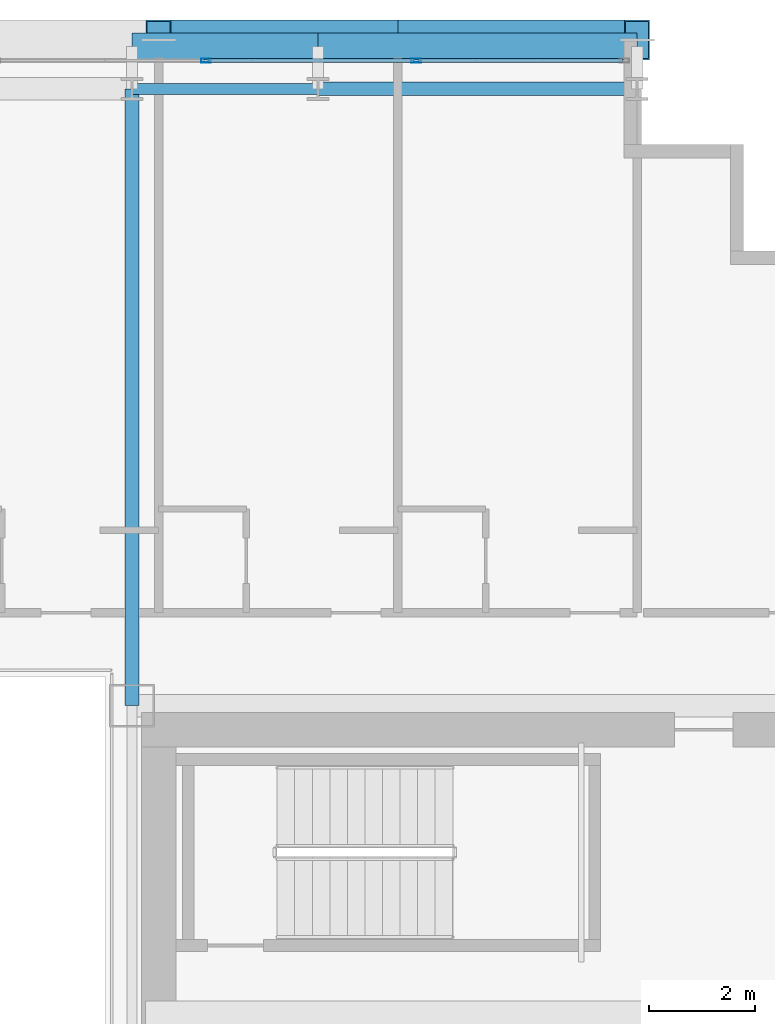
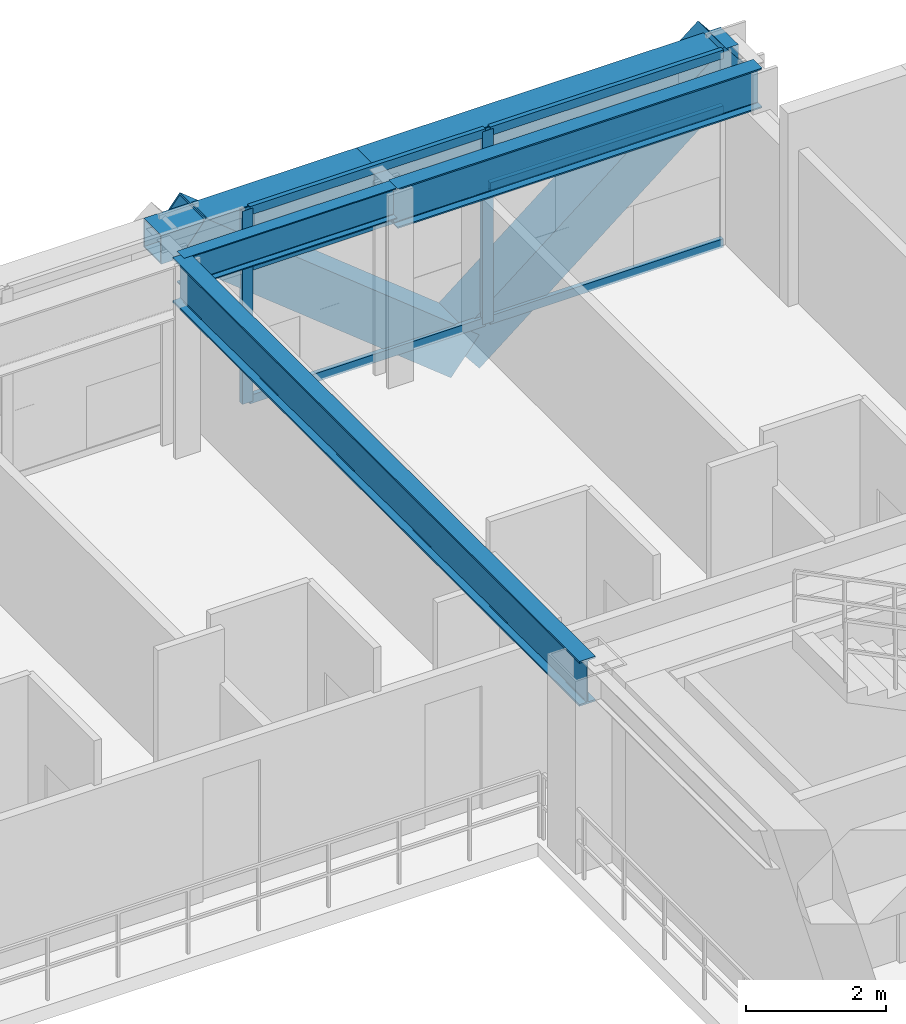
# One storey, part 21 of 36: 10 members, 5 beams, 1 element without a shape of its own.
"""IFC4 building model written with IfcOpenShell, lengths in metres."""

import ifcopenshell
import ifcopenshell.guid

model = None  # the IFC model being written
_history = None  # IfcOwnerHistory: only IFC2X3 demands one
_inside = {}  # id of a spatial element -> (the spatial element, [elements in it])
_under = {}  # id of a project, library or spatial element -> (it, [spatial elements below it])
_declared = {}  # id of a project -> (the project, [libraries it declares])
_typed = {}  # id of a type object -> (the type object, [elements of that type])
_made_of = {}  # id of a material, layer set ... -> (it, [elements and type objects made of it])


def new_model(schema):
    """Start an empty IFC model of exactly this schema.

    Asked for "IFC4X3", IfcOpenShell would pick the latest addendum, in which some entities
    have other attributes; the version numbers below select the first issue.
    IFC2X3 requires an IfcOwnerHistory on every rooted entity: one is made here for all.
    """
    global model, _history
    if schema == "IFC4X3":
        model = ifcopenshell.file(schema_version=(4, 3, 0, 0))
    else:
        model = ifcopenshell.file(schema=schema)
    _inside.clear()
    _under.clear()
    _declared.clear()
    _typed.clear()
    _made_of.clear()
    _history = None
    if model.schema == "IFC2X3":
        org = make("IfcOrganization", Name="unknown")
        user = make(
            "IfcPersonAndOrganization",
            ThePerson=make("IfcPerson", FamilyName="unknown"),
            TheOrganization=org,
        )
        app = make(
            "IfcApplication",
            ApplicationDeveloper=org,
            Version="unknown",
            ApplicationFullName="unknown",
            ApplicationIdentifier="unknown",
        )
        _history = make(
            "IfcOwnerHistory",
            OwningUser=user,
            OwningApplication=app,
            ChangeAction="ADDED",
            CreationDate=0,
        )
    return model


def make(cls, **values):
    """One entity of the class cls with the attributes given. An attribute that is None is left unset."""
    return model.create_entity(
        cls, **{name: value for name, value in values.items() if value is not None}
    )


def rooted(cls, **values):
    """An entity with a GlobalId (a new one), such as an element, a storey or a relation."""
    return make(cls, GlobalId=ifcopenshell.guid.new(), OwnerHistory=_history, **values)


def si_unit(unit_type, name, prefix=None):
    """IfcSIUnit, for example si_unit("LENGTHUNIT", "METRE", prefix="MILLI")."""
    return make("IfcSIUnit", UnitType=unit_type, Prefix=prefix, Name=name)


def assignment(units):
    """IfcUnitAssignment: the units of a project."""
    return None if units is None else make("IfcUnitAssignment", Units=units)


def point(xyz):
    """IfcCartesianPoint."""
    return None if xyz is None else make("IfcCartesianPoint", Coordinates=xyz)


def direction(xyz):
    """IfcDirection."""
    return None if xyz is None else make("IfcDirection", DirectionRatios=xyz)


def frame(location, z_axis=None, x_axis=None):
    """IfcAxis2Placement3D, a coordinate frame: its origin and axes. An axis left out is left unset."""
    return make(
        "IfcAxis2Placement3D",
        Location=point(location),
        Axis=direction(z_axis),
        RefDirection=direction(x_axis),
    )


def frame_2d(location, x_axis=None):
    """IfcAxis2Placement2D, a coordinate frame in the plane: its origin and x axis."""
    return make(
        "IfcAxis2Placement2D", Location=point(location), RefDirection=direction(x_axis)
    )


def origin():
    """The frame at (0, 0, 0) with its axes left unset."""
    return frame((0.0, 0.0, 0.0))


def origin_2d():
    """The frame at (0, 0) in the plane with its x axis left unset."""
    return frame_2d((0.0, 0.0))


def place(relative_to, where):
    """IfcLocalPlacement: puts the frame where relative to a parent placement (None: the world)."""
    return make(
        "IfcLocalPlacement", PlacementRelTo=relative_to, RelativePlacement=where
    )


def context(
    kind, dimensions, precision=None, world=None, true_north=None, identifier=None
):
    """IfcGeometricRepresentationContext, for example the 3D "Model" context."""
    return make(
        "IfcGeometricRepresentationContext",
        ContextIdentifier=identifier,
        ContextType=kind,
        CoordinateSpaceDimension=dimensions,
        Precision=precision,
        WorldCoordinateSystem=world,
        TrueNorth=true_north,
    )


def subcontext(parent, identifier, kind, view, scale=None):
    """IfcGeometricRepresentationSubContext, for example "Body" below "Model"."""
    return make(
        "IfcGeometricRepresentationSubContext",
        ContextIdentifier=identifier,
        ContextType=kind,
        ParentContext=parent,
        TargetScale=scale,
        TargetView=view,
    )


def project(units=None, contexts=None):
    """IfcProject with its units and contexts."""
    return rooted(
        "IfcProject",
        Name="project",
        RepresentationContexts=contexts,
        UnitsInContext=assignment(units),
    )


def spatial(cls, under=None, at=None, **own):
    """A site, building, storey or space (cls), placed at a placement, below another one or the project."""
    s = rooted(cls, ObjectPlacement=at, **own)
    if under is not None:
        _under.setdefault(under.id(), (under, []))[1].append(s)
    return s


def profile(cls, at=None, kind="AREA", **sizes):
    """A parametric profile (cls). Its sizes go by their IFC names, for example OverallWidth=200.0."""
    return make(cls, ProfileType=kind, Position=at, **sizes)


def hollow_rectangle(**sizes):
    """IfcRectangleHollowProfileDef."""
    return profile("IfcRectangleHollowProfileDef", **sizes)


def i_section(**sizes):
    """IfcIShapeProfileDef."""
    return profile("IfcIShapeProfileDef", **sizes)


def extrude(swept, where, along, depth):
    """IfcExtrudedAreaSolid: the profile swept, set in the frame where, extruded along a direction by depth."""
    return make(
        "IfcExtrudedAreaSolid",
        SweptArea=swept,
        Position=where,
        ExtrudedDirection=direction(along),
        Depth=depth,
    )


def shape(context_of_items, identifier, shape_type, items):
    """IfcShapeRepresentation: the items that make up one representation, for example the "Body"."""
    return make(
        "IfcShapeRepresentation",
        ContextOfItems=context_of_items,
        RepresentationIdentifier=identifier,
        RepresentationType=shape_type,
        Items=items,
    )


def source(mapping_origin, context_of_items, identifier, shape_type, items):
    """IfcRepresentationMap: a shape defined once, which mapped items show again and again."""
    return make(
        "IfcRepresentationMap",
        MappingOrigin=mapping_origin,
        MappedRepresentation=shape(context_of_items, identifier, shape_type, items),
    )


def transform(
    local_origin,
    x_axis=None,
    y_axis=None,
    z_axis=None,
    scale=None,
    scale2=None,
    scale3=None,
    uniform=True,
):
    """IfcCartesianTransformationOperator3D, or its non-uniform kind. x_axis, y_axis, z_axis: its Axis1, 2, 3."""
    if uniform:
        return make(
            "IfcCartesianTransformationOperator3D",
            Axis1=direction(x_axis),
            Axis2=direction(y_axis),
            LocalOrigin=point(local_origin),
            Scale=scale,
            Axis3=direction(z_axis),
        )
    return make(
        "IfcCartesianTransformationOperator3DnonUniform",
        Axis1=direction(x_axis),
        Axis2=direction(y_axis),
        LocalOrigin=point(local_origin),
        Scale=scale,
        Axis3=direction(z_axis),
        Scale2=scale2,
        Scale3=scale3,
    )


def mapped(mapping_source, mapping_target):
    """IfcMappedItem: shows the shape of a source again, moved by a transform."""
    return make(
        "IfcMappedItem", MappingSource=mapping_source, MappingTarget=mapping_target
    )


def material(Name=None, Category=None):
    """IfcMaterial."""
    return make("IfcMaterial", Name=Name, Category=Category)


def layer(
    of_material, thickness, ventilated=None, Name=None, Category=None, Priority=None
):
    """IfcMaterialLayer: one layer of a wall or slab, of a material (None: an air gap)."""
    return make(
        "IfcMaterialLayer",
        Material=of_material,
        LayerThickness=thickness,
        IsVentilated=ventilated,
        Name=Name,
        Category=Category,
        Priority=Priority,
    )


def layer_set(layers, Name=None):
    """IfcMaterialLayerSet."""
    return make("IfcMaterialLayerSet", MaterialLayers=layers, LayerSetName=Name)


def material_profile(
    of_material, cross_section, Name=None, Category=None, Priority=None
):
    """IfcMaterialProfile: a cross section and its material."""
    return make(
        "IfcMaterialProfile",
        Name=Name,
        Material=of_material,
        Profile=cross_section,
        Priority=Priority,
        Category=Category,
    )


def profile_set(profiles, Name=None, composite=None):
    """IfcMaterialProfileSet."""
    return make(
        "IfcMaterialProfileSet",
        Name=Name,
        MaterialProfiles=profiles,
        CompositeProfile=composite,
    )


def made_of(thing, what):
    """Note that an element or type object is made of a material, layer set ...; save() writes the relation."""
    if what is not None:
        _made_of.setdefault(what.id(), (what, []))[1].append(thing)
    return thing


def type_object(cls, material=None, **own):
    """A type object (cls), such as IfcWallType, which elements share."""
    return made_of(rooted(cls, **own), material)


def element(
    cls,
    number,
    at=None,
    inside=None,
    cuts=None,
    type_object=None,
    material=None,
    context=None,
    identifier="Body",
    shape_type=None,
    held_by="IfcProductDefinitionShape",
    body=None,
    shapes=None,
    **own,
):
    """One element of the class cls, such as IfcWall. Its Tag is "e" and its number.

    at: its placement. inside: the storey or other place that contains it. cuts: it is an
    opening in that element (IfcRelVoidsElement). A single representation is given by context,
    identifier, shape_type and body (its items); several are given by shapes. held_by: the class
    of the entity that holds the representations. save() writes the other relations.
    """
    e = rooted(cls, Tag="e%d" % number, ObjectPlacement=at, **own)
    if body is not None:
        shapes = [shape(context, identifier, shape_type, body)]
    if shapes is not None:
        e.Representation = make(held_by, Representations=shapes)
    if inside is not None:
        _inside.setdefault(inside.id(), (inside, []))[1].append(e)
    if cuts is not None:
        rooted(
            "IfcRelVoidsElement", RelatingBuildingElement=cuts, RelatedOpeningElement=e
        )
    if type_object is not None:
        _typed.setdefault(type_object.id(), (type_object, []))[1].append(e)
    return made_of(e, material)


def aggregate(whole, parts):
    """IfcRelAggregates: a whole, such as a stair, and the parts it consists of."""
    return rooted("IfcRelAggregates", RelatingObject=whole, RelatedObjects=parts)


def save(model, path):
    """Write the relations noted so far, then the file.

    IfcRelAggregates (storeys below a building ...), IfcRelContainedInSpatialStructure (elements
    in a storey), IfcRelDefinesByType, IfcRelAssociatesMaterial and IfcRelDeclares: one each for
    every whole, place, type object, material and project.
    """
    for whole, parts in _under.values():
        aggregate(whole, parts)
    for where, things in _inside.values():
        rooted(
            "IfcRelContainedInSpatialStructure",
            RelatedElements=things,
            RelatingStructure=where,
        )
    for kind, things in _typed.values():
        rooted("IfcRelDefinesByType", RelatedObjects=things, RelatingType=kind)
    for what, things in _made_of.values():
        rooted("IfcRelAssociatesMaterial", RelatedObjects=things, RelatingMaterial=what)
    for by, libraries in _declared.values():
        rooted("IfcRelDeclares", RelatingContext=by, RelatedDefinitions=libraries)
    model.write(path)


model = new_model("IFC4")

# Units and contexts
model_context = context("Model", 3, precision=1e-05, world=origin(), true_north=direction((0.0, 1.0)))
body_context = subcontext(model_context, "Body", "Model", "MODEL_VIEW")
ifc_project = project(units=[si_unit("LENGTHUNIT", "METRE"), si_unit("AREAUNIT", "SQUARE_METRE"), si_unit("VOLUMEUNIT", "CUBIC_METRE"), si_unit("PLANEANGLEUNIT", "RADIAN"), si_unit("MASSUNIT", "GRAM", prefix="KILO")], contexts=[model_context])

# Site, building, storey
site_placement = place(None, origin())
site = spatial("IfcSite", under=ifc_project, at=site_placement, CompositionType="ELEMENT")
building_placement = place(site_placement, origin())
building = spatial("IfcBuilding", under=site, at=building_placement, Name="Ocotamira Hotel", CompositionType="ELEMENT")
storey_placement = place(building_placement, frame((0.0, 0.0, 136.800048828125)))
storey = spatial("IfcBuildingStorey", under=building, at=storey_placement, Name="L34", CompositionType="ELEMENT", Elevation=136.800048828125)

# Beams
ifc_material_1 = material(Name="Steel ASTM A992 Grade 50", Category="steel")
ifc_material_profile_1 = material_profile(ifc_material_1, i_section(OverallWidth=0.256103515625, OverallDepth=0.693115234375, WebThickness=0.014404296875, FlangeThickness=0.023681640625, FilletRadius=0.01611328125, at=origin_2d()), Name="W27X114")
ifc_profile_set_1 = profile_set([ifc_material_profile_1], Name="Steel ASTM A992 Grade 50")
beam_type_1 = type_object("IfcBeamType", Name="BM-PRIM-W27X114", PredefinedType="BEAM", material=ifc_profile_set_1)
shared_shape_1 = source(origin(), body_context, "Body", "SweptSolid", [
    extrude(i_section(OverallWidth=0.256103515625, OverallDepth=0.693115234375, WebThickness=0.014404296875, FlangeThickness=0.023681640625, FilletRadius=0.01611328125, at=origin_2d()), origin(), (0.0, 0.0, 1.0), 6.0),
])
beam_1_placement = place(storey_placement, frame((44.0, 49.050048828125, 3.013427734375), z_axis=(1.0, 0.0, 0.0), x_axis=(0.0, 1.0, 0.0)))
element("IfcBeam", 1, at=beam_1_placement, inside=storey, type_object=beam_type_1, Name="L34 Girder Y49.05 X44-50", PredefinedType="BEAM", context=body_context, shape_type="MappedRepresentation", body=[
    mapped(shared_shape_1, transform((0.0, 0.0, 0.0), scale=1.0)),
])
ifc_material_profile_2 = material_profile(ifc_material_1, i_section(OverallWidth=0.2099609375, OverallDepth=0.537109375, WebThickness=0.010986328125, FlangeThickness=0.017333984375, FilletRadius=0.012939453125, at=origin_2d()), Name="W21X68")
ifc_profile_set_2 = profile_set([ifc_material_profile_2], Name="Steel ASTM A992 Grade 50")
beam_type_2 = type_object("IfcBeamType", Name="BM-SEC-W21X68", PredefinedType="JOIST", material=ifc_profile_set_2)
shared_shape_2 = source(origin(), body_context, "Body", "SweptSolid", [
    extrude(i_section(OverallWidth=0.2099609375, OverallDepth=0.537109375, WebThickness=0.010986328125, FlangeThickness=0.017333984375, FilletRadius=0.012939453125, at=origin_2d()), origin(), (0.0, 0.0, 1.0), 3.5),
])
beam_2_placement = place(storey_placement, frame((40.5, 49.050048828125, 3.091552734375), z_axis=(1.0, 0.0, 0.0), x_axis=(0.0, 1.0, 0.0)))
element("IfcBeam", 2, at=beam_2_placement, inside=storey, type_object=beam_type_2, Name="L34 Girder Y49.05 X40.5-44", PredefinedType="JOIST", context=body_context, shape_type="MappedRepresentation", body=[
    mapped(shared_shape_2, transform((0.0, 0.0, 0.0), scale=1.0)),
])
ifc_material_profile_3 = material_profile(ifc_material_1, i_section(OverallWidth=0.26611328125, OverallDepth=0.779052734375, WebThickness=0.0166015625, FlangeThickness=0.030029296875, FilletRadius=0.01806640625, at=origin_2d()), Name="W30X148")
ifc_profile_set_3 = profile_set([ifc_material_profile_3], Name="Steel ASTM A992 Grade 50")
beam_type_3 = type_object("IfcBeamType", Name="BM-GIRD-W30X148", PredefinedType="BEAM", material=ifc_profile_set_3)
shared_shape_3 = source(origin(), body_context, "Body", "SweptSolid", [
    extrude(i_section(OverallWidth=0.26611328125, OverallDepth=0.779052734375, WebThickness=0.0166015625, FlangeThickness=0.030029296875, FilletRadius=0.01806640625, at=origin_2d()), origin(), (0.0, 0.0, 1.0), 11.60009765625),
])
beam_3_placement = place(storey_placement, frame((40.5, 37.449951171875, 2.970458984375), z_axis=(0.0, 1.0, 0.0), x_axis=(-1.0, 0.0, 0.0)))
element("IfcBeam", 3, at=beam_3_placement, inside=storey, type_object=beam_type_3, Name="L34 Beam X40.5 Y37.45-49.05", PredefinedType="BEAM", context=body_context, shape_type="MappedRepresentation", body=[
    mapped(shared_shape_3, transform((0.0, 0.0, 0.0), scale=1.0)),
])
ifc_material_2 = material(Name="Steel ASTM A500 Grade C", Category="steel")
ifc_material_profile_4 = material_profile(ifc_material_2, hollow_rectangle(XDim=0.5, YDim=0.5, WallThickness=0.02001953125, at=origin_2d()), Name="HSS500X500X20")
ifc_profile_set_4 = profile_set([ifc_material_profile_4], Name="Steel ASTM A500 Grade C")
beam_type_4 = type_object("IfcBeamType", Name="BM-SPAN-HSS500", PredefinedType="USERDEFINED", material=ifc_profile_set_4)
shared_shape_4 = source(origin(), body_context, "Body", "SweptSolid", [
    extrude(hollow_rectangle(XDim=0.5, YDim=0.5, WallThickness=0.02001953125, at=origin_2d()), origin(), (0.0, 0.0, 1.0), 6.0),
])
beam_4_placement = place(storey_placement, frame((44.0, 49.85009765625, 3.10986328125), z_axis=(1.0, 0.0, 0.0), x_axis=(0.0, 1.0, 0.0)))
element("IfcBeam", 4, at=beam_4_placement, inside=storey, type_object=beam_type_4, Name="L34 Edge Spandrel N X44-50", ObjectType="SPANDREL", PredefinedType="USERDEFINED", context=body_context, shape_type="MappedRepresentation", body=[
    mapped(shared_shape_4, transform((0.0, 0.0, 0.0), scale=1.0)),
])
shared_shape_5 = source(origin(), body_context, "Body", "SweptSolid", [
    extrude(hollow_rectangle(XDim=0.5, YDim=0.5, WallThickness=0.02001953125, at=origin_2d()), origin(), (0.0, 0.0, 1.0), 3.5),
])
beam_5_placement = place(storey_placement, frame((40.5, 49.85009765625, 3.10986328125), z_axis=(1.0, 0.0, 0.0), x_axis=(0.0, 1.0, 0.0)))
element("IfcBeam", 5, at=beam_5_placement, inside=storey, type_object=beam_type_4, Name="L34 Edge Spandrel N X40.5-44", ObjectType="SPANDREL", PredefinedType="USERDEFINED", context=body_context, shape_type="MappedRepresentation", body=[
    mapped(shared_shape_5, transform((0.0, 0.0, 0.0), scale=1.0)),
])

# Members
ifc_material_3 = material(Name="Pale-metal coated steel ASTM A913 Grade 65", Category="steel")
ifc_material_profile_5 = material_profile(ifc_material_3, hollow_rectangle(XDim=0.75, YDim=0.75, WallThickness=0.028076171875, at=origin_2d()), Name="BOX750X750X28")
ifc_profile_set_5 = profile_set([ifc_material_profile_5], Name="Pale-metal coated steel ASTM A913 Grade 65")
member_type_1 = type_object("IfcMemberType", Name="MEM-EXO-BOX750", PredefinedType="BRACE", material=ifc_profile_set_5)
shared_shape_6 = source(origin(), body_context, "Body", "SweptSolid", [
    extrude(hollow_rectangle(XDim=0.75, YDim=0.75, WallThickness=0.028076171875, at=origin_2d()), origin(), (0.0, 0.0, 1.0), 5.7626953125),
])
for number, where, z_axis, x_axis, name in (
    (6, (45.5, 49.969970703125, -0.489990234375), (-0.780881208953, 0.0, 0.624679547852), (0.0, -1.0, 0.0), "L34 Exoskeleton Diagrid N3.1"),
    (7, (45.5, 49.969970703125, -0.489990234375), (0.780881208953, 0.0, 0.624679547852), (0.0, 1.0, 0.0), "L34 Exoskeleton Diagrid N3.2"),
):
    element("IfcMember", number, at=place(storey_placement, frame(where, z_axis=z_axis, x_axis=x_axis)), inside=storey, type_object=member_type_1, Name=name, PredefinedType="BRACE", context=body_context, shape_type="MappedRepresentation", body=[
        mapped(shared_shape_6, transform((0.0, 0.0, 0.0), scale=1.0)),
    ])

# Curtain wall, members
ifc_material_4 = material(Name="Anodised pale-metal aluminium and solar glass", Category="aluminium")
ifc_layer = layer(ifc_material_4, 0.179931640625)
ifc_layer_set = layer_set([ifc_layer], Name="Anodised pale-metal aluminium and solar glass")
curtain_wall_type = type_object("IfcCurtainWallType", Name="CW-SYS3-Z2", PredefinedType="NOTDEFINED", material=ifc_layer_set)
curtain_wall_placement = place(storey_placement, origin())
curtain_wall = element("IfcCurtainWall", 8, at=curtain_wall_placement, inside=storey, type_object=curtain_wall_type, Name="L34 Curtain Wall CW-3 CW-L34-N", PredefinedType="NOTDEFINED")
ifc_material_5 = material(Name="Anodised pale-metal aluminium 6063-T6", Category="aluminium")
ifc_material_profile_6 = material_profile(ifc_material_5, hollow_rectangle(XDim=0.074951171875, YDim=0.14990234375, WallThickness=0.006103515625, at=origin_2d()), Name="HSS150X75X6")
ifc_profile_set_6 = profile_set([ifc_material_profile_6], Name="Anodised pale-metal aluminium 6063-T6")
member_type_2 = type_object("IfcMemberType", Name="CWT-150X75", PredefinedType="USERDEFINED", material=ifc_profile_set_6)
shared_shape_7 = source(origin(), body_context, "Body", "SweptSolid", [
    extrude(hollow_rectangle(XDim=0.074951171875, YDim=0.14990234375, WallThickness=0.006103515625, at=origin_2d()), origin(), (0.0, 0.0, 1.0), 3.83544921875),
])
member_1_placement = place(storey_placement, frame((45.884521484375, 49.580078125, 0.037353515625), z_axis=(1.0, 0.0, 0.0), x_axis=(0.0, 1.0, 0.0)))
member_1 = element("IfcMember", 9, at=member_1_placement, type_object=member_type_2, Name="CW-3 transom 9.1", ObjectType="TRANSOM", PredefinedType="USERDEFINED", context=body_context, shape_type="MappedRepresentation", body=[
    mapped(shared_shape_7, transform((0.0, 0.0, 0.0), scale=1.0)),
])
member_2_placement = place(storey_placement, frame((45.884521484375, 49.580078125, 2.349853515625), z_axis=(1.0, 0.0, 0.0), x_axis=(0.0, 1.0, 0.0)))
member_2 = element("IfcMember", 10, at=member_2_placement, type_object=member_type_2, Name="CW-3 transom 9.2", ObjectType="TRANSOM", PredefinedType="USERDEFINED", context=body_context, shape_type="MappedRepresentation", body=[
    mapped(shared_shape_7, transform((0.0, 0.0, 0.0), scale=1.0)),
])
member_3_placement = place(storey_placement, frame((45.884521484375, 49.580078125, 3.322509765625), z_axis=(1.0, 0.0, 0.0), x_axis=(0.0, 1.0, 0.0)))
member_3 = element("IfcMember", 11, at=member_3_placement, type_object=member_type_2, Name="CW-3 transom 9.3", ObjectType="TRANSOM", PredefinedType="USERDEFINED", context=body_context, shape_type="MappedRepresentation", body=[
    mapped(shared_shape_7, transform((0.0, 0.0, 0.0), scale=1.0)),
])
shared_shape_8 = source(origin(), body_context, "Body", "SweptSolid", [
    extrude(hollow_rectangle(XDim=0.074951171875, YDim=0.14990234375, WallThickness=0.006103515625, at=origin_2d()), origin(), (0.0, 0.0, 1.0), 3.87548828125),
])
member_4_placement = place(storey_placement, frame((41.928955078125, 49.580078125, 0.037353515625), z_axis=(1.0, 0.0, 0.0), x_axis=(0.0, 1.0, 0.0)))
member_4 = element("IfcMember", 12, at=member_4_placement, type_object=member_type_2, Name="CW-3 transom 8.1", ObjectType="TRANSOM", PredefinedType="USERDEFINED", context=body_context, shape_type="MappedRepresentation", body=[
    mapped(shared_shape_8, transform((0.0, 0.0, 0.0), scale=1.0)),
])
member_5_placement = place(storey_placement, frame((41.928955078125, 49.580078125, 2.349853515625), z_axis=(1.0, 0.0, 0.0), x_axis=(0.0, 1.0, 0.0)))
member_5 = element("IfcMember", 13, at=member_5_placement, type_object=member_type_2, Name="CW-3 transom 8.2", ObjectType="TRANSOM", PredefinedType="USERDEFINED", context=body_context, shape_type="MappedRepresentation", body=[
    mapped(shared_shape_8, transform((0.0, 0.0, 0.0), scale=1.0)),
])
member_6_placement = place(storey_placement, frame((41.928955078125, 49.580078125, 3.322509765625), z_axis=(1.0, 0.0, 0.0), x_axis=(0.0, 1.0, 0.0)))
member_6 = element("IfcMember", 14, at=member_6_placement, type_object=member_type_2, Name="CW-3 transom 8.3", ObjectType="TRANSOM", PredefinedType="USERDEFINED", context=body_context, shape_type="MappedRepresentation", body=[
    mapped(shared_shape_8, transform((0.0, 0.0, 0.0), scale=1.0)),
])
ifc_material_profile_7 = material_profile(ifc_material_5, hollow_rectangle(XDim=0.080078125, YDim=0.179931640625, WallThickness=0.006103515625, at=origin_2d()), Name="HSS180X80X6")
ifc_profile_set_7 = profile_set([ifc_material_profile_7], Name="Anodised pale-metal aluminium 6063-T6")
member_type_3 = type_object("IfcMemberType", Name="CWM-180X75", PredefinedType="MULLION", material=ifc_profile_set_7)
shared_shape_9 = source(origin(), body_context, "Body", "SweptSolid", [
    extrude(hollow_rectangle(XDim=0.080078125, YDim=0.179931640625, WallThickness=0.006103515625, at=origin_2d()), origin(), (0.0, 0.0, 1.0), 3.35986328125),
])
member_7_placement = place(storey_placement, frame((41.888916015625, 49.580078125, 0.0), z_axis=(0.0, 0.0, 1.0), x_axis=(0.0, 1.0, 0.0)))
member_7 = element("IfcMember", 15, at=member_7_placement, type_object=member_type_3, Name="CW-3 mullion 8", PredefinedType="MULLION", context=body_context, shape_type="MappedRepresentation", body=[
    mapped(shared_shape_9, transform((0.0, 0.0, 0.0), scale=1.0)),
])
member_8_placement = place(storey_placement, frame((45.844482421875, 49.580078125, 0.0), z_axis=(0.0, 0.0, 1.0), x_axis=(0.0, 1.0, 0.0)))
member_8 = element("IfcMember", 16, at=member_8_placement, type_object=member_type_3, Name="CW-3 mullion 9", PredefinedType="MULLION", context=body_context, shape_type="MappedRepresentation", body=[
    mapped(shared_shape_9, transform((0.0, 0.0, 0.0), scale=1.0)),
])
aggregate(curtain_wall, [member_7, member_8, member_4, member_5, member_6, member_1, member_2, member_3])

save(model, "model.ifc")
